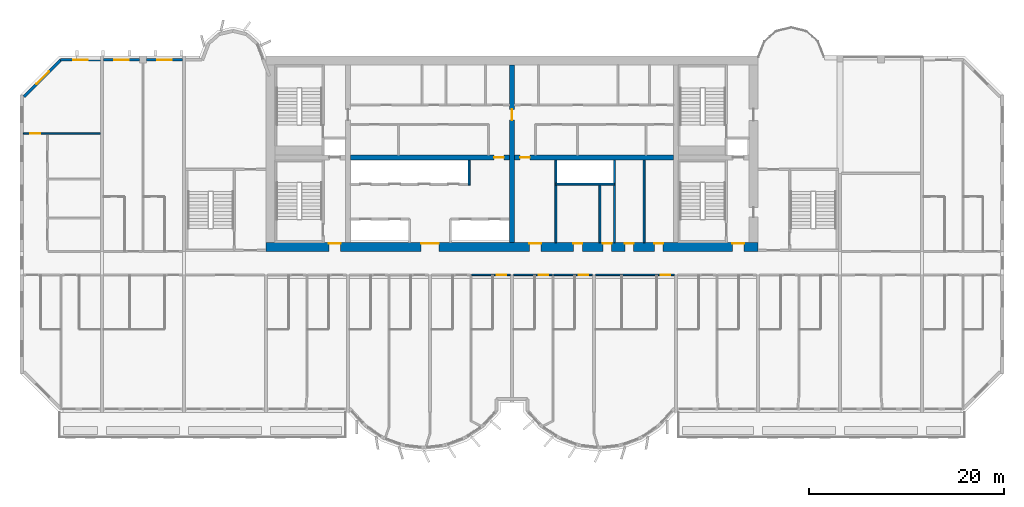
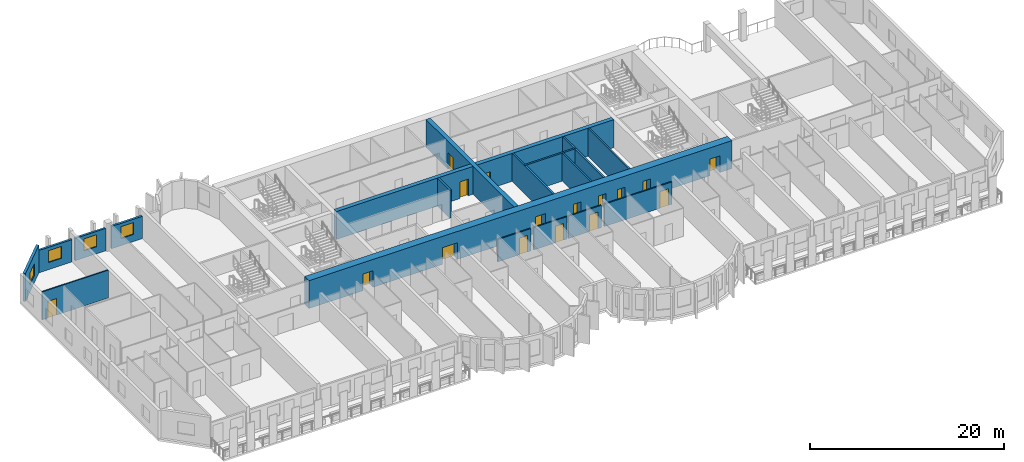
# One storey, part 7 of 15: 19 walls, 16 doors, 4 windows, 20 openings.
"""IFC4 building model written with IfcOpenShell, lengths in metres."""

import ifcopenshell
import ifcopenshell.guid

model = None  # the IFC model being written
_history = None  # IfcOwnerHistory: only IFC2X3 demands one
_inside = {}  # id of a spatial element -> (the spatial element, [elements in it])
_under = {}  # id of a project, library or spatial element -> (it, [spatial elements below it])
_declared = {}  # id of a project -> (the project, [libraries it declares])
_typed = {}  # id of a type object -> (the type object, [elements of that type])
_made_of = {}  # id of a material, layer set ... -> (it, [elements and type objects made of it])


def new_model(schema):
    """Start an empty IFC model of exactly this schema.

    Asked for "IFC4X3", IfcOpenShell would pick the latest addendum, in which some entities
    have other attributes; the version numbers below select the first issue.
    IFC2X3 requires an IfcOwnerHistory on every rooted entity: one is made here for all.
    """
    global model, _history
    if schema == "IFC4X3":
        model = ifcopenshell.file(schema_version=(4, 3, 0, 0))
    else:
        model = ifcopenshell.file(schema=schema)
    _inside.clear()
    _under.clear()
    _declared.clear()
    _typed.clear()
    _made_of.clear()
    _history = None
    if model.schema == "IFC2X3":
        org = make("IfcOrganization", Name="unknown")
        user = make(
            "IfcPersonAndOrganization",
            ThePerson=make("IfcPerson", FamilyName="unknown"),
            TheOrganization=org,
        )
        app = make(
            "IfcApplication",
            ApplicationDeveloper=org,
            Version="unknown",
            ApplicationFullName="unknown",
            ApplicationIdentifier="unknown",
        )
        _history = make(
            "IfcOwnerHistory",
            OwningUser=user,
            OwningApplication=app,
            ChangeAction="ADDED",
            CreationDate=0,
        )
    return model


def make(cls, **values):
    """One entity of the class cls with the attributes given. An attribute that is None is left unset."""
    return model.create_entity(
        cls, **{name: value for name, value in values.items() if value is not None}
    )


def rooted(cls, **values):
    """An entity with a GlobalId (a new one), such as an element, a storey or a relation."""
    return make(cls, GlobalId=ifcopenshell.guid.new(), OwnerHistory=_history, **values)


def si_unit(unit_type, name, prefix=None):
    """IfcSIUnit, for example si_unit("LENGTHUNIT", "METRE", prefix="MILLI")."""
    return make("IfcSIUnit", UnitType=unit_type, Prefix=prefix, Name=name)


def assignment(units):
    """IfcUnitAssignment: the units of a project."""
    return None if units is None else make("IfcUnitAssignment", Units=units)


def point(xyz):
    """IfcCartesianPoint."""
    return None if xyz is None else make("IfcCartesianPoint", Coordinates=xyz)


def direction(xyz):
    """IfcDirection."""
    return None if xyz is None else make("IfcDirection", DirectionRatios=xyz)


def frame(location, z_axis=None, x_axis=None):
    """IfcAxis2Placement3D, a coordinate frame: its origin and axes. An axis left out is left unset."""
    return make(
        "IfcAxis2Placement3D",
        Location=point(location),
        Axis=direction(z_axis),
        RefDirection=direction(x_axis),
    )


def frame_2d(location, x_axis=None):
    """IfcAxis2Placement2D, a coordinate frame in the plane: its origin and x axis."""
    return make(
        "IfcAxis2Placement2D", Location=point(location), RefDirection=direction(x_axis)
    )


def origin():
    """The frame at (0, 0, 0) with its axes left unset."""
    return frame((0.0, 0.0, 0.0))


def place(relative_to, where):
    """IfcLocalPlacement: puts the frame where relative to a parent placement (None: the world)."""
    return make(
        "IfcLocalPlacement", PlacementRelTo=relative_to, RelativePlacement=where
    )


def context(
    kind, dimensions, precision=None, world=None, true_north=None, identifier=None
):
    """IfcGeometricRepresentationContext, for example the 3D "Model" context."""
    return make(
        "IfcGeometricRepresentationContext",
        ContextIdentifier=identifier,
        ContextType=kind,
        CoordinateSpaceDimension=dimensions,
        Precision=precision,
        WorldCoordinateSystem=world,
        TrueNorth=true_north,
    )


def subcontext(parent, identifier, kind, view, scale=None):
    """IfcGeometricRepresentationSubContext, for example "Body" below "Model"."""
    return make(
        "IfcGeometricRepresentationSubContext",
        ContextIdentifier=identifier,
        ContextType=kind,
        ParentContext=parent,
        TargetScale=scale,
        TargetView=view,
    )


def project(units=None, contexts=None):
    """IfcProject with its units and contexts."""
    return rooted(
        "IfcProject",
        Name="project",
        RepresentationContexts=contexts,
        UnitsInContext=assignment(units),
    )


def spatial(cls, under=None, at=None, **own):
    """A site, building, storey or space (cls), placed at a placement, below another one or the project."""
    s = rooted(cls, ObjectPlacement=at, **own)
    if under is not None:
        _under.setdefault(under.id(), (under, []))[1].append(s)
    return s


def profile(cls, at=None, kind="AREA", **sizes):
    """A parametric profile (cls). Its sizes go by their IFC names, for example OverallWidth=200.0."""
    return make(cls, ProfileType=kind, Position=at, **sizes)


def rectangle(**sizes):
    """IfcRectangleProfileDef."""
    return profile("IfcRectangleProfileDef", **sizes)


def extrude(swept, where, along, depth):
    """IfcExtrudedAreaSolid: the profile swept, set in the frame where, extruded along a direction by depth."""
    return make(
        "IfcExtrudedAreaSolid",
        SweptArea=swept,
        Position=where,
        ExtrudedDirection=direction(along),
        Depth=depth,
    )


def shape(context_of_items, identifier, shape_type, items):
    """IfcShapeRepresentation: the items that make up one representation, for example the "Body"."""
    return make(
        "IfcShapeRepresentation",
        ContextOfItems=context_of_items,
        RepresentationIdentifier=identifier,
        RepresentationType=shape_type,
        Items=items,
    )


def source(mapping_origin, context_of_items, identifier, shape_type, items):
    """IfcRepresentationMap: a shape defined once, which mapped items show again and again."""
    return make(
        "IfcRepresentationMap",
        MappingOrigin=mapping_origin,
        MappedRepresentation=shape(context_of_items, identifier, shape_type, items),
    )


def transform(
    local_origin,
    x_axis=None,
    y_axis=None,
    z_axis=None,
    scale=None,
    scale2=None,
    scale3=None,
    uniform=True,
):
    """IfcCartesianTransformationOperator3D, or its non-uniform kind. x_axis, y_axis, z_axis: its Axis1, 2, 3."""
    if uniform:
        return make(
            "IfcCartesianTransformationOperator3D",
            Axis1=direction(x_axis),
            Axis2=direction(y_axis),
            LocalOrigin=point(local_origin),
            Scale=scale,
            Axis3=direction(z_axis),
        )
    return make(
        "IfcCartesianTransformationOperator3DnonUniform",
        Axis1=direction(x_axis),
        Axis2=direction(y_axis),
        LocalOrigin=point(local_origin),
        Scale=scale,
        Axis3=direction(z_axis),
        Scale2=scale2,
        Scale3=scale3,
    )


def mapped(mapping_source, mapping_target):
    """IfcMappedItem: shows the shape of a source again, moved by a transform."""
    return make(
        "IfcMappedItem", MappingSource=mapping_source, MappingTarget=mapping_target
    )


def material(Name=None, Category=None):
    """IfcMaterial."""
    return make("IfcMaterial", Name=Name, Category=Category)


def layer(
    of_material, thickness, ventilated=None, Name=None, Category=None, Priority=None
):
    """IfcMaterialLayer: one layer of a wall or slab, of a material (None: an air gap)."""
    return make(
        "IfcMaterialLayer",
        Material=of_material,
        LayerThickness=thickness,
        IsVentilated=ventilated,
        Name=Name,
        Category=Category,
        Priority=Priority,
    )


def layer_set(layers, Name=None):
    """IfcMaterialLayerSet."""
    return make("IfcMaterialLayerSet", MaterialLayers=layers, LayerSetName=Name)


def made_of(thing, what):
    """Note that an element or type object is made of a material, layer set ...; save() writes the relation."""
    if what is not None:
        _made_of.setdefault(what.id(), (what, []))[1].append(thing)
    return thing


def type_object(cls, material=None, **own):
    """A type object (cls), such as IfcWallType, which elements share."""
    return made_of(rooted(cls, **own), material)


def element(
    cls,
    number,
    at=None,
    inside=None,
    cuts=None,
    type_object=None,
    material=None,
    context=None,
    identifier="Body",
    shape_type=None,
    held_by="IfcProductDefinitionShape",
    body=None,
    shapes=None,
    **own,
):
    """One element of the class cls, such as IfcWall. Its Tag is "e" and its number.

    at: its placement. inside: the storey or other place that contains it. cuts: it is an
    opening in that element (IfcRelVoidsElement). A single representation is given by context,
    identifier, shape_type and body (its items); several are given by shapes. held_by: the class
    of the entity that holds the representations. save() writes the other relations.
    """
    e = rooted(cls, Tag="e%d" % number, ObjectPlacement=at, **own)
    if body is not None:
        shapes = [shape(context, identifier, shape_type, body)]
    if shapes is not None:
        e.Representation = make(held_by, Representations=shapes)
    if inside is not None:
        _inside.setdefault(inside.id(), (inside, []))[1].append(e)
    if cuts is not None:
        rooted(
            "IfcRelVoidsElement", RelatingBuildingElement=cuts, RelatedOpeningElement=e
        )
    if type_object is not None:
        _typed.setdefault(type_object.id(), (type_object, []))[1].append(e)
    return made_of(e, material)


def fill(opening, filler):
    """IfcRelFillsElement: the door or window that sits in an opening."""
    return rooted(
        "IfcRelFillsElement",
        RelatingOpeningElement=opening,
        RelatedBuildingElement=filler,
    )


def aggregate(whole, parts):
    """IfcRelAggregates: a whole, such as a stair, and the parts it consists of."""
    return rooted("IfcRelAggregates", RelatingObject=whole, RelatedObjects=parts)


def save(model, path):
    """Write the relations noted so far, then the file.

    IfcRelAggregates (storeys below a building ...), IfcRelContainedInSpatialStructure (elements
    in a storey), IfcRelDefinesByType, IfcRelAssociatesMaterial and IfcRelDeclares: one each for
    every whole, place, type object, material and project.
    """
    for whole, parts in _under.values():
        aggregate(whole, parts)
    for where, things in _inside.values():
        rooted(
            "IfcRelContainedInSpatialStructure",
            RelatedElements=things,
            RelatingStructure=where,
        )
    for kind, things in _typed.values():
        rooted("IfcRelDefinesByType", RelatedObjects=things, RelatingType=kind)
    for what, things in _made_of.values():
        rooted("IfcRelAssociatesMaterial", RelatedObjects=things, RelatingMaterial=what)
    for by, libraries in _declared.values():
        rooted("IfcRelDeclares", RelatingContext=by, RelatedDefinitions=libraries)
    model.write(path)


model = new_model("IFC4")

# Units and contexts
model_context = context("Model", 3, precision=1e-05, world=origin(), true_north=direction((0.0, 1.0)))
body_context = subcontext(model_context, "Body", "Model", "MODEL_VIEW")
ifc_project = project(units=[si_unit("LENGTHUNIT", "METRE"), si_unit("AREAUNIT", "SQUARE_METRE"), si_unit("VOLUMEUNIT", "CUBIC_METRE"), si_unit("PLANEANGLEUNIT", "RADIAN"), si_unit("MASSUNIT", "GRAM", prefix="KILO")], contexts=[model_context])

# Site, building, storey
site_placement = place(None, origin())
site = spatial("IfcSite", under=ifc_project, at=site_placement, CompositionType="ELEMENT")
building_placement = place(site_placement, origin())
building = spatial("IfcBuilding", under=site, at=building_placement, Name="Vanashikhar Sky Hotel", CompositionType="ELEMENT")
storey_placement = place(building_placement, frame((0.0, 0.0, 91.39990234375)))
storey = spatial("IfcBuildingStorey", under=building, at=storey_placement, Name="L21", CompositionType="ELEMENT", Elevation=91.39990234375)

# Wall, openings, doors
ifc_material_1 = material(Name="Concrete M70", Category="concrete")
ifc_layer_1 = layer(ifc_material_1, 0.89990234375)
ifc_layer_set_1 = layer_set([ifc_layer_1], Name="RC core shell wall 900 Concrete M70")
wall_type_1 = type_object("IfcWallType", Name="RC core shell wall 900 Concrete M70", PredefinedType="SHEAR", material=ifc_layer_set_1)
shared_shape_1 = source(origin(), body_context, "Body", "SweptSolid", [
    extrude(rectangle(XDim=50.400146484375, YDim=0.89990234375, at=frame_2d((25.2001953125, 0.0))), origin(), (0.0, 0.0, 1.0), 3.52001953125),
])
wall_1_placement = place(storey_placement, frame((25.199951171875, 22.449951171875, 0.0), z_axis=(0.0, 0.0, 1.0), x_axis=(1.0, 0.0, 0.0)))
wall_1 = element("IfcWall", 1, at=wall_1_placement, inside=storey, type_object=wall_type_1, Name="KW-L21-KS", PredefinedType="SHEAR", context=body_context, shape_type="MappedRepresentation", body=[
    mapped(shared_shape_1, transform((0.0, 0.0, 0.0), scale=1.0)),
])
shared_shape_2 = source(origin(), body_context, "Body", "SweptSolid", [
    extrude(rectangle(XDim=1.800048828125, YDim=2.10009765625, at=frame_2d((0.89990234375, 1.050048828125))), frame((0.0, 0.4599609375, 0.0), z_axis=(0.0, -1.0, 0.0), x_axis=(1.0, 0.0, 0.0)), (0.0, 0.0, 1.0), 0.919921875),
])
opening_1_placement = place(wall_1_placement, frame((15.89990234375, 0.0, 0.0)))
opening_1 = element("IfcOpeningElement", 2, at=opening_1_placement, cuts=wall_1, Name="Opening DC-3-A", PredefinedType="OPENING", context=body_context, shape_type="MappedRepresentation", body=[
    mapped(shared_shape_2, transform((0.0, 0.0, 0.0), scale=1.0)),
])
shared_shape_3 = source(origin(), body_context, "Body", "SweptSolid", [
    extrude(rectangle(XDim=1.199951171875, YDim=2.10009765625, at=frame_2d((0.60009765625, 1.050048828125))), frame((0.0, 0.4599609375, 0.0), z_axis=(0.0, -1.0, 0.0), x_axis=(1.0, 0.0, 0.0)), (0.0, 0.0, 1.0), 0.919921875),
])
opening_2_placement = place(wall_1_placement, frame((26.97509765625, 0.0, 0.0)))
opening_2 = element("IfcOpeningElement", 3, at=opening_2_placement, cuts=wall_1, Name="Opening DC-4-B", PredefinedType="OPENING", context=body_context, shape_type="MappedRepresentation", body=[
    mapped(shared_shape_3, transform((0.0, 0.0, 0.0), scale=1.0)),
])
shared_shape_4 = source(origin(), body_context, "Body", "SweptSolid", [
    extrude(rectangle(XDim=0.89990234375, YDim=2.10009765625, at=frame_2d((0.449951171875, 1.050048828125))), frame((0.0, 0.4599609375, 0.0), z_axis=(0.0, -1.0, 0.0), x_axis=(1.0, 0.0, 0.0)), (0.0, 0.0, 1.0), 0.919921875),
])
opening_3_placement = place(wall_1_placement, frame((34.5, 0.0, 0.0)))
opening_3 = element("IfcOpeningElement", 4, at=opening_3_placement, cuts=wall_1, Name="Opening DC-4-A", PredefinedType="OPENING", context=body_context, shape_type="MappedRepresentation", body=[
    mapped(shared_shape_4, transform((0.0, 0.0, 0.0), scale=1.0)),
])
opening_4_placement = place(wall_1_placement, frame((31.5, 0.0, 0.0)))
opening_4 = element("IfcOpeningElement", 5, at=opening_4_placement, cuts=wall_1, Name="Opening DC-4-A", PredefinedType="OPENING", context=body_context, shape_type="MappedRepresentation", body=[
    mapped(shared_shape_4, transform((0.0, 0.0, 0.0), scale=1.0)),
])
opening_5_placement = place(wall_1_placement, frame((39.7880859375, 0.0, 0.0)))
opening_5 = element("IfcOpeningElement", 6, at=opening_5_placement, cuts=wall_1, Name="Opening DC-4-A", PredefinedType="OPENING", context=body_context, shape_type="MappedRepresentation", body=[
    mapped(shared_shape_4, transform((0.0, 0.0, 0.0), scale=1.0)),
])
opening_6_placement = place(wall_1_placement, frame((36.761962890625, 0.0, 0.0)))
opening_6 = element("IfcOpeningElement", 7, at=opening_6_placement, cuts=wall_1, Name="Opening DC-4-A", PredefinedType="OPENING", context=body_context, shape_type="MappedRepresentation", body=[
    mapped(shared_shape_4, transform((0.0, 0.0, 0.0), scale=1.0)),
])
opening_7_placement = place(wall_1_placement, frame((6.449951171875, 0.0, 0.0)))
opening_7 = element("IfcOpeningElement", 8, at=opening_7_placement, cuts=wall_1, Name="Opening DC-2", PredefinedType="OPENING", context=body_context, shape_type="MappedRepresentation", body=[
    mapped(shared_shape_3, transform((0.0, 0.0, 0.0), scale=1.0)),
])
opening_8_placement = place(wall_1_placement, frame((47.77490234375, 0.0, 0.0)))
opening_8 = element("IfcOpeningElement", 9, at=opening_8_placement, cuts=wall_1, Name="Opening DC-2", PredefinedType="OPENING", context=body_context, shape_type="MappedRepresentation", body=[
    mapped(shared_shape_3, transform((0.0, 0.0, 0.0), scale=1.0)),
])
ifc_material_2 = material(Name="Glass", Category="glass")
door_type_1 = type_object("IfcDoorType", Name="Lift lobby entrance door 1800 FD30S", OperationType="NOTDEFINED", PredefinedType="DOOR", material=ifc_material_2)
shared_shape_5 = source(origin(), body_context, "Body", "SweptSolid", [
    extrude(rectangle(XDim=1.800048828125, YDim=2.10009765625, at=frame_2d((0.89990234375, 1.050048828125))), frame((0.0, 0.375, 0.0), z_axis=(0.0, -1.0, 0.0), x_axis=(1.0, 0.0, 0.0)), (0.0, 0.0, 1.0), 0.050048828125),
])
door_1_placement = place(opening_1_placement, origin())
door_1 = element("IfcDoor", 10, at=door_1_placement, inside=storey, type_object=door_type_1, Name="Lift lobby entrance door 1800 FD30S", OperationType="DOUBLE_DOOR_SINGLE_SWING", OverallHeight=2.10009765625, OverallWidth=1.800048828125, PredefinedType="DOOR", context=body_context, shape_type="MappedRepresentation", body=[
    mapped(shared_shape_5, transform((0.0, 0.0, 0.0), scale=1.0)),
])
fill(opening_1, door_1)
ifc_material_3 = material(Name="Steel", Category="steel")
door_type_2 = type_object("IfcDoorType", Name="Service door 1200 FD60", OperationType="NOTDEFINED", PredefinedType="DOOR", material=ifc_material_3)
shared_shape_6 = source(origin(), body_context, "Body", "SweptSolid", [
    extrude(rectangle(XDim=1.199951171875, YDim=2.10009765625, at=frame_2d((0.60009765625, 1.050048828125))), frame((0.0, 0.375, 0.0), z_axis=(0.0, -1.0, 0.0), x_axis=(1.0, 0.0, 0.0)), (0.0, 0.0, 1.0), 0.050048828125),
])
door_2_placement = place(opening_2_placement, origin())
door_2 = element("IfcDoor", 11, at=door_2_placement, inside=storey, type_object=door_type_2, Name="Service door 1200 FD60", OperationType="SINGLE_SWING_LEFT", OverallHeight=2.10009765625, OverallWidth=1.199951171875, PredefinedType="DOOR", context=body_context, shape_type="MappedRepresentation", body=[
    mapped(shared_shape_6, transform((0.0, 0.0, 0.0), scale=1.0)),
])
fill(opening_2, door_2)
door_type_3 = type_object("IfcDoorType", Name="Firefighting lobby door 1200 FD120", OperationType="NOTDEFINED", PredefinedType="DOOR", material=ifc_material_3)
door_3_placement = place(opening_7_placement, origin())
door_3 = element("IfcDoor", 12, at=door_3_placement, inside=storey, type_object=door_type_3, Name="Firefighting lobby door 1200 FD120", OperationType="SINGLE_SWING_LEFT", OverallHeight=2.10009765625, OverallWidth=1.199951171875, PredefinedType="DOOR", context=body_context, shape_type="MappedRepresentation", body=[
    mapped(shared_shape_6, transform((0.0, 0.0, 0.0), scale=1.0)),
])
fill(opening_7, door_3)
door_4_placement = place(opening_8_placement, origin())
door_4 = element("IfcDoor", 13, at=door_4_placement, inside=storey, type_object=door_type_3, Name="Firefighting lobby door 1200 FD120", OperationType="SINGLE_SWING_LEFT", OverallHeight=2.10009765625, OverallWidth=1.199951171875, PredefinedType="DOOR", context=body_context, shape_type="MappedRepresentation", body=[
    mapped(shared_shape_6, transform((0.0, 0.0, 0.0), scale=1.0)),
])
fill(opening_8, door_4)
door_type_4 = type_object("IfcDoorType", Name="Service door 900 FD60", OperationType="NOTDEFINED", PredefinedType="DOOR", material=ifc_material_3)
shared_shape_7 = source(origin(), body_context, "Body", "SweptSolid", [
    extrude(rectangle(XDim=0.89990234375, YDim=2.10009765625, at=frame_2d((0.449951171875, 1.050048828125))), frame((0.0, 0.375, 0.0), z_axis=(0.0, -1.0, 0.0), x_axis=(1.0, 0.0, 0.0)), (0.0, 0.0, 1.0), 0.050048828125),
])
door_5_placement = place(opening_3_placement, origin())
door_5 = element("IfcDoor", 14, at=door_5_placement, inside=storey, type_object=door_type_4, Name="Service door 900 FD60", OperationType="SINGLE_SWING_LEFT", OverallHeight=2.10009765625, OverallWidth=0.89990234375, PredefinedType="DOOR", context=body_context, shape_type="MappedRepresentation", body=[
    mapped(shared_shape_7, transform((0.0, 0.0, 0.0), scale=1.0)),
])
fill(opening_3, door_5)
door_6_placement = place(opening_4_placement, origin())
door_6 = element("IfcDoor", 15, at=door_6_placement, inside=storey, type_object=door_type_4, Name="Service door 900 FD60", OperationType="SINGLE_SWING_RIGHT", OverallHeight=2.10009765625, OverallWidth=0.89990234375, PredefinedType="DOOR", context=body_context, shape_type="MappedRepresentation", body=[
    mapped(shared_shape_7, transform((0.0, 0.0, 0.0), scale=1.0)),
])
fill(opening_4, door_6)
door_7_placement = place(opening_5_placement, origin())
door_7 = element("IfcDoor", 16, at=door_7_placement, inside=storey, type_object=door_type_4, Name="Service door 900 FD60", OperationType="SINGLE_SWING_LEFT", OverallHeight=2.10009765625, OverallWidth=0.89990234375, PredefinedType="DOOR", context=body_context, shape_type="MappedRepresentation", body=[
    mapped(shared_shape_7, transform((0.0, 0.0, 0.0), scale=1.0)),
])
fill(opening_5, door_7)
door_8_placement = place(opening_6_placement, origin())
door_8 = element("IfcDoor", 17, at=door_8_placement, inside=storey, type_object=door_type_4, Name="Service door 900 FD60", OperationType="SINGLE_SWING_RIGHT", OverallHeight=2.10009765625, OverallWidth=0.89990234375, PredefinedType="DOOR", context=body_context, shape_type="MappedRepresentation", body=[
    mapped(shared_shape_7, transform((0.0, 0.0, 0.0), scale=1.0)),
])
fill(opening_6, door_8)

# Wall, opening, door
ifc_layer_2 = layer(ifc_material_1, 0.5)
ifc_layer_set_2 = layer_set([ifc_layer_2], Name="RC core inner wall 500 Concrete M70")
wall_type_2 = type_object("IfcWallType", Name="RC core inner wall 500 Concrete M70", PredefinedType="SHEAR", material=ifc_layer_set_2)
shared_shape_8 = source(origin(), body_context, "Body", "SweptSolid", [
    extrude(rectangle(XDim=18.2001953125, YDim=0.5, at=frame_2d((9.10009765625, 0.0))), origin(), (0.0, 0.0, 1.0), 3.52001953125),
])
wall_2_placement = place(storey_placement, frame((50.39990234375, 22.89990234375, 0.0), z_axis=(0.0, 0.0, 1.0), x_axis=(0.0, 1.0, 0.0)))
wall_2 = element("IfcWall", 18, at=wall_2_placement, inside=storey, type_object=wall_type_2, Name="KW-L21-KX2", PredefinedType="SHEAR", context=body_context, shape_type="MappedRepresentation", body=[
    mapped(shared_shape_8, transform((0.0, 0.0, 0.0), scale=1.0)),
])
shared_shape_9 = source(origin(), body_context, "Body", "SweptSolid", [
    extrude(rectangle(XDim=1.10009765625, YDim=2.10009765625, at=frame_2d((0.550048828125, 1.050048828125))), frame((0.0, 0.260009765625, 0.0), z_axis=(0.0, -1.0, 0.0), x_axis=(1.0, 0.0, 0.0)), (0.0, 0.0, 1.0), 0.52001953125),
])
opening_9_placement = place(wall_2_placement, frame((12.550048828125, 0.0, 0.0)))
opening_9 = element("IfcOpeningElement", 19, at=opening_9_placement, cuts=wall_2, Name="Opening DC-4-C", PredefinedType="OPENING", context=body_context, shape_type="MappedRepresentation", body=[
    mapped(shared_shape_9, transform((0.0, 0.0, 0.0), scale=1.0)),
])
door_type_5 = type_object("IfcDoorType", Name="Service door 1100 FD60", OperationType="NOTDEFINED", PredefinedType="DOOR", material=ifc_material_3)
shared_shape_10 = source(origin(), body_context, "Body", "SweptSolid", [
    extrude(rectangle(XDim=1.10009765625, YDim=2.10009765625, at=frame_2d((0.550048828125, 1.050048828125))), frame((0.0, 0.02490234375, 0.0), z_axis=(0.0, -1.0, 0.0), x_axis=(1.0, 0.0, 0.0)), (0.0, 0.0, 1.0), 0.050048828125),
])
door_9_placement = place(opening_9_placement, origin())
door_9 = element("IfcDoor", 20, at=door_9_placement, inside=storey, type_object=door_type_5, Name="Service door 1100 FD60", OperationType="SINGLE_SWING_LEFT", OverallHeight=2.10009765625, OverallWidth=1.10009765625, PredefinedType="DOOR", context=body_context, shape_type="MappedRepresentation", body=[
    mapped(shared_shape_10, transform((0.0, 0.0, 0.0), scale=1.0)),
])
fill(opening_9, door_9)

shared_shape_11 = source(origin(), body_context, "Body", "SweptSolid", [
    extrude(rectangle(XDim=16.2998046875, YDim=0.5, at=frame_2d((8.14990234375, 0.0))), origin(), (0.0, 0.0, 1.0), 3.52001953125),
])
wall_3_placement = place(storey_placement, frame((33.85009765625, 31.60009765625, 0.0), z_axis=(0.0, 0.0, 1.0), x_axis=(1.0, 0.0, 0.0)))
wall_3 = element("IfcWall", 21, at=wall_3_placement, inside=storey, type_object=wall_type_2, Name="KW-L21-KY2", PredefinedType="SHEAR", context=body_context, shape_type="MappedRepresentation", body=[
    mapped(shared_shape_11, transform((0.0, 0.0, 0.0), scale=1.0)),
])
shared_shape_12 = source(origin(), body_context, "Body", "SweptSolid", [
    extrude(rectangle(XDim=1.0, YDim=2.10009765625, at=frame_2d((0.5, 1.050048828125))), frame((0.0, 0.260009765625, 0.0), z_axis=(0.0, -1.0, 0.0), x_axis=(1.0, 0.0, 0.0)), (0.0, 0.0, 1.0), 0.52001953125),
])
opening_10_placement = place(wall_3_placement, frame((14.72509765625, 0.0, 0.0)))
opening_10 = element("IfcOpeningElement", 22, at=opening_10_placement, cuts=wall_3, Name="Opening DC-4", PredefinedType="OPENING", context=body_context, shape_type="MappedRepresentation", body=[
    mapped(shared_shape_12, transform((0.0, 0.0, 0.0), scale=1.0)),
])
door_type_6 = type_object("IfcDoorType", Name="Service door 1000 FD60", OperationType="NOTDEFINED", PredefinedType="DOOR", material=ifc_material_3)
shared_shape_13 = source(origin(), body_context, "Body", "SweptSolid", [
    extrude(rectangle(XDim=1.0, YDim=2.10009765625, at=frame_2d((0.5, 1.050048828125))), frame((0.0, 0.02490234375, 0.0), z_axis=(0.0, -1.0, 0.0), x_axis=(1.0, 0.0, 0.0)), (0.0, 0.0, 1.0), 0.050048828125),
])
door_10_placement = place(opening_10_placement, origin())
door_10 = element("IfcDoor", 23, at=door_10_placement, inside=storey, type_object=door_type_6, Name="Service door 1000 FD60", OperationType="SINGLE_SWING_LEFT", OverallHeight=2.10009765625, OverallWidth=1.0, PredefinedType="DOOR", context=body_context, shape_type="MappedRepresentation", body=[
    mapped(shared_shape_13, transform((0.0, 0.0, 0.0), scale=1.0)),
])
fill(opening_10, door_10)

shared_shape_14 = source(origin(), body_context, "Body", "SweptSolid", [
    extrude(rectangle(XDim=16.300048828125, YDim=0.5, at=frame_2d((8.14990234375, 0.0))), origin(), (0.0, 0.0, 1.0), 3.52001953125),
])
wall_4_placement = place(storey_placement, frame((50.64990234375, 31.60009765625, 0.0), z_axis=(0.0, 0.0, 1.0), x_axis=(1.0, 0.0, 0.0)))
wall_4 = element("IfcWall", 24, at=wall_4_placement, inside=storey, type_object=wall_type_2, Name="KW-L21-KY3", PredefinedType="SHEAR", context=body_context, shape_type="MappedRepresentation", body=[
    mapped(shared_shape_14, transform((0.0, 0.0, 0.0), scale=1.0)),
])
opening_11_placement = place(wall_4_placement, frame((0.574951171875, 0.0, 0.0)))
opening_11 = element("IfcOpeningElement", 25, at=opening_11_placement, cuts=wall_4, Name="Opening DC-4", PredefinedType="OPENING", context=body_context, shape_type="MappedRepresentation", body=[
    mapped(shared_shape_12, transform((0.0, 0.0, 0.0), scale=1.0)),
])
door_11_placement = place(opening_11_placement, origin())
door_11 = element("IfcDoor", 26, at=door_11_placement, inside=storey, type_object=door_type_6, Name="Service door 1000 FD60", OperationType="SINGLE_SWING_LEFT", OverallHeight=2.10009765625, OverallWidth=1.0, PredefinedType="DOOR", context=body_context, shape_type="MappedRepresentation", body=[
    mapped(shared_shape_13, transform((0.0, 0.0, 0.0), scale=1.0)),
])
fill(opening_11, door_11)

# Wall, opening, window
ifc_material_4 = material(Name="Concrete M50", Category="concrete")
ifc_layer_3 = layer(ifc_material_4, 0.300048828125)
ifc_layer_set_3 = layer_set([ifc_layer_3], Name="Lobe wall 300")
wall_type_3 = type_object("IfcWallType", Name="Lobe wall 300", PredefinedType="SOLIDWALL", material=ifc_layer_set_3)
shared_shape_15 = source(origin(), body_context, "Body", "SweptSolid", [
    extrude(rectangle(XDim=5.32568359375, YDim=0.300048828125, at=frame_2d((2.662841796875, 0.0))), origin(), (0.0, 0.0, 1.0), 3.52001953125),
])
wall_5_placement = place(storey_placement, frame((4.165771484375, 41.60009765625, 0.0), z_axis=(0.0, 0.0, 1.0), x_axis=(-0.707106781187, -0.707106781187, 0.0)))
wall_5 = element("IfcWall", 27, at=wall_5_placement, inside=storey, type_object=wall_type_3, Name="Corner wall", PredefinedType="SOLIDWALL", context=body_context, shape_type="MappedRepresentation", body=[
    mapped(shared_shape_15, transform((0.0, 0.0, 0.0), scale=1.0)),
])
shared_shape_16 = source(origin(), body_context, "Body", "SweptSolid", [
    extrude(rectangle(XDim=1.800048828125, YDim=1.5, at=frame_2d((0.89990234375, 0.75))), frame((0.0, 0.16015625, 0.0), z_axis=(0.0, -1.0, 0.0), x_axis=(1.0, 0.0, 0.0)), (0.0, 0.0, 1.0), 0.320068359375),
])
opening_12_placement = place(wall_5_placement, frame((1.671875, 0.0, 0.89990234375)))
opening_12 = element("IfcOpeningElement", 28, at=opening_12_placement, cuts=wall_5, Name="Opening WN-4", PredefinedType="OPENING", context=body_context, shape_type="MappedRepresentation", body=[
    mapped(shared_shape_16, transform((0.0, 0.0, 0.0), scale=1.0)),
])
window_type_1 = type_object("IfcWindowType", Name="Corner window 1800 x 1500", PartitioningType="SINGLE_PANEL", PredefinedType="WINDOW", material=ifc_material_2)
shared_shape_17 = source(origin(), body_context, "Body", "SweptSolid", [
    extrude(rectangle(XDim=1.800048828125, YDim=1.5, at=frame_2d((0.89990234375, 0.75))), frame((0.0, 0.030029296875, 0.0), z_axis=(0.0, -1.0, 0.0), x_axis=(1.0, 0.0, 0.0)), (0.0, 0.0, 1.0), 0.06005859375),
])
window_1_placement = place(opening_12_placement, origin())
window_1 = element("IfcWindow", 29, at=window_1_placement, inside=storey, type_object=window_type_1, Name="Window WN-4", OverallHeight=1.5, OverallWidth=1.800048828125, PartitioningType="SINGLE_PANEL", PredefinedType="WINDOW", context=body_context, shape_type="MappedRepresentation", body=[
    mapped(shared_shape_17, transform((0.0, 0.0, 0.0), scale=1.0)),
])
fill(opening_12, window_1)

ifc_layer_4 = layer(ifc_material_4, 0.25)
ifc_layer_set_4 = layer_set([ifc_layer_4], Name="Rear and end board-marked wall 250")
wall_type_4 = type_object("IfcWallType", Name="Rear and end board-marked wall 250", PredefinedType="SOLIDWALL", material=ifc_layer_set_4)
shared_shape_18 = source(origin(), body_context, "Body", "SweptSolid", [
    extrude(rectangle(XDim=4.06982421875, YDim=0.25, at=frame_2d((2.034912109375, 0.0))), origin(), (0.0, 0.0, 1.0), 2.820068359375),
])
wall_6_placement = place(storey_placement, frame((8.22509765625, 41.625, 0.0), z_axis=(0.0, 0.0, 1.0), x_axis=(-1.0, 0.0, 0.0)))
wall_6 = element("IfcWall", 30, at=wall_6_placement, inside=storey, type_object=wall_type_4, Name="Rear board-marked wall", PredefinedType="SOLIDWALL", context=body_context, shape_type="MappedRepresentation", body=[
    mapped(shared_shape_18, transform((0.0, 0.0, 0.0), scale=1.0)),
])
shared_shape_19 = source(origin(), body_context, "Body", "SweptSolid", [
    extrude(rectangle(XDim=1.5, YDim=1.5, at=frame_2d((0.75, 0.75))), frame((0.0, 0.135009765625, 0.0), z_axis=(0.0, -1.0, 0.0), x_axis=(1.0, 0.0, 0.0)), (0.0, 0.0, 1.0), 0.27001953125),
])
opening_13_placement = place(wall_6_placement, frame((1.284912109375, 0.0, 0.89990234375)))
opening_13 = element("IfcOpeningElement", 31, at=opening_13_placement, cuts=wall_6, Name="Opening WN-1", PredefinedType="OPENING", context=body_context, shape_type="MappedRepresentation", body=[
    mapped(shared_shape_19, transform((0.0, 0.0, 0.0), scale=1.0)),
])
window_type_2 = type_object("IfcWindowType", Name="Window 1500 x 1500", PartitioningType="SINGLE_PANEL", PredefinedType="WINDOW", material=ifc_material_2)
shared_shape_20 = source(origin(), body_context, "Body", "SweptSolid", [
    extrude(rectangle(XDim=1.5, YDim=1.5, at=frame_2d((0.75, 0.75))), frame((0.0, 0.030029296875, 0.0), z_axis=(0.0, -1.0, 0.0), x_axis=(1.0, 0.0, 0.0)), (0.0, 0.0, 1.0), 0.06005859375),
])
window_2_placement = place(opening_13_placement, origin())
window_2 = element("IfcWindow", 32, at=window_2_placement, inside=storey, type_object=window_type_2, Name="Window WN-1", OverallHeight=1.5, OverallWidth=1.5, PartitioningType="SINGLE_PANEL", PredefinedType="WINDOW", context=body_context, shape_type="MappedRepresentation", body=[
    mapped(shared_shape_20, transform((0.0, 0.0, 0.0), scale=1.0)),
])
fill(opening_13, window_2)

shared_shape_21 = source(origin(), body_context, "Body", "SweptSolid", [
    extrude(rectangle(XDim=3.675048828125, YDim=0.25, at=frame_2d((1.83740234375, 0.0))), origin(), (0.0, 0.0, 1.0), 2.820068359375),
])
wall_7_placement = place(storey_placement, frame((12.25, 41.625, 0.0), z_axis=(0.0, 0.0, 1.0), x_axis=(-1.0, 0.0, 0.0)))
wall_7 = element("IfcWall", 33, at=wall_7_placement, inside=storey, type_object=wall_type_4, Name="Rear board-marked wall", PredefinedType="SOLIDWALL", context=body_context, shape_type="MappedRepresentation", body=[
    mapped(shared_shape_21, transform((0.0, 0.0, 0.0), scale=1.0)),
])
opening_14_placement = place(wall_7_placement, frame((1.08740234375, 0.0, 0.89990234375)))
opening_14 = element("IfcOpeningElement", 34, at=opening_14_placement, cuts=wall_7, Name="Opening WN-1", PredefinedType="OPENING", context=body_context, shape_type="MappedRepresentation", body=[
    mapped(shared_shape_19, transform((0.0, 0.0, 0.0), scale=1.0)),
])
window_3_placement = place(opening_14_placement, origin())
window_3 = element("IfcWindow", 35, at=window_3_placement, inside=storey, type_object=window_type_2, Name="Window WN-1", OverallHeight=1.5, OverallWidth=1.5, PartitioningType="SINGLE_PANEL", PredefinedType="WINDOW", context=body_context, shape_type="MappedRepresentation", body=[
    mapped(shared_shape_20, transform((0.0, 0.0, 0.0), scale=1.0)),
])
fill(opening_14, window_3)

wall_8_placement = place(storey_placement, frame((16.625, 41.625, 0.0), z_axis=(0.0, 0.0, 1.0), x_axis=(-1.0, 0.0, 0.0)))
wall_8 = element("IfcWall", 36, at=wall_8_placement, inside=storey, type_object=wall_type_4, Name="Rear board-marked wall", PredefinedType="SOLIDWALL", context=body_context, shape_type="MappedRepresentation", body=[
    mapped(shared_shape_21, transform((0.0, 0.0, 0.0), scale=1.0)),
])
opening_15_placement = place(wall_8_placement, frame((1.08740234375, 0.0, 0.89990234375)))
opening_15 = element("IfcOpeningElement", 37, at=opening_15_placement, cuts=wall_8, Name="Opening WN-1", PredefinedType="OPENING", context=body_context, shape_type="MappedRepresentation", body=[
    mapped(shared_shape_19, transform((0.0, 0.0, 0.0), scale=1.0)),
])
window_4_placement = place(opening_15_placement, origin())
window_4 = element("IfcWindow", 38, at=window_4_placement, inside=storey, type_object=window_type_2, Name="Window WN-1", OverallHeight=1.5, OverallWidth=1.5, PartitioningType="SINGLE_PANEL", PredefinedType="WINDOW", context=body_context, shape_type="MappedRepresentation", body=[
    mapped(shared_shape_20, transform((0.0, 0.0, 0.0), scale=1.0)),
])
fill(opening_15, window_4)

# Walls
ifc_material_5 = material(Name="Concrete M40", Category="concrete")
ifc_layer_5 = layer(ifc_material_5, 0.199951171875)
ifc_layer_set_5 = layer_set([ifc_layer_5], Name="Shaft wall 200")
wall_type_5 = type_object("IfcWallType", Name="Shaft wall 200", PredefinedType="SOLIDWALL", material=ifc_layer_set_5)
shared_shape_22 = source(origin(), body_context, "Body", "SweptSolid", [
    extrude(rectangle(XDim=6.0, YDim=0.199951171875, at=frame_2d((3.0, 0.0))), origin(), (0.0, 0.0, 1.0), 3.52001953125),
])
wall_9_placement = place(storey_placement, frame((60.89990234375, 28.89990234375, 0.0), z_axis=(0.0, 0.0, 1.0), x_axis=(-1.0, 0.0, 0.0)))
element("IfcWall", 39, at=wall_9_placement, inside=storey, type_object=wall_type_5, Name="Shaft wall 200", PredefinedType="SOLIDWALL", context=body_context, shape_type="MappedRepresentation", body=[
    mapped(shared_shape_22, transform((0.0, 0.0, 0.0), scale=1.0)),
])
ifc_material_6 = material(Name="Gypsum board partition")
ifc_layer_6 = layer(ifc_material_6, 0.14990234375)
ifc_layer_set_6 = layer_set([ifc_layer_6], Name="Service partition 150")
wall_type_6 = type_object("IfcWallType", Name="Service partition 150", PredefinedType="PARTITIONING", material=ifc_layer_set_6)
wall_10_placement = place(storey_placement, frame((59.39990234375, 22.89990234375, 0.0), z_axis=(0.0, 0.0, 1.0), x_axis=(0.0, 1.0, 0.0)))
element("IfcWall", 40, at=wall_10_placement, inside=storey, type_object=wall_type_6, Name="Service partition 150", PredefinedType="PARTITIONING", context=body_context, shape_type="MappedRepresentation", body=[
    mapped(shared_shape_22, transform((0.0, 0.0, 0.0), scale=1.0)),
])
shared_shape_23 = source(origin(), body_context, "Body", "SweptSolid", [
    extrude(rectangle(XDim=2.550048828125, YDim=0.199951171875, at=frame_2d((1.27490234375, 0.0))), origin(), (0.0, 0.0, 1.0), 3.52001953125),
])
wall_11_placement = place(storey_placement, frame((46.0, 28.800048828125, 0.0), z_axis=(0.0, 0.0, 1.0), x_axis=(0.0, 1.0, 0.0)))
element("IfcWall", 41, at=wall_11_placement, inside=storey, type_object=wall_type_5, Name="Shaft wall 200", PredefinedType="SOLIDWALL", context=body_context, shape_type="MappedRepresentation", body=[
    mapped(shared_shape_23, transform((0.0, 0.0, 0.0), scale=1.0)),
])
shared_shape_24 = source(origin(), body_context, "Body", "SweptSolid", [
    extrude(rectangle(XDim=8.4501953125, YDim=0.199951171875, at=frame_2d((4.22509765625, 0.0))), origin(), (0.0, 0.0, 1.0), 3.52001953125),
])
for number, where, z_axis, x_axis, name in (
    (42, (54.89990234375, 22.89990234375, 0.0), (0.0, 0.0, 1.0), (0.0, 1.0, 0.0), "Service partition 150"),
    (43, (60.89990234375, 22.89990234375, 0.0), (0.0, 0.0, 1.0), (0.0, 1.0, 0.0), "Service partition 150"),
    (44, (63.925048828125, 22.89990234375, 0.0), (0.0, 0.0, 1.0), (0.0, 1.0, 0.0), "Service partition 150"),
):
    element("IfcWall", number, at=place(storey_placement, frame(where, z_axis=z_axis, x_axis=x_axis)), inside=storey, type_object=wall_type_6, Name=name, PredefinedType="PARTITIONING", context=body_context, shape_type="MappedRepresentation", body=[
        mapped(shared_shape_24, transform((0.0, 0.0, 0.0), scale=1.0)),
    ])

# Wall, opening, door
ifc_material_7 = material(Name="Gypsum plasterboard partition")
ifc_layer_7 = layer(ifc_material_7, 0.14990234375)
ifc_layer_set_7 = layer_set([ifc_layer_7], Name="Corridor and demising partition 150")
wall_type_7 = type_object("IfcWallType", Name="Corridor and demising partition 150", PredefinedType="PARTITIONING", material=ifc_layer_set_7)
shared_shape_25 = source(origin(), body_context, "Body", "SweptSolid", [
    extrude(rectangle(XDim=3.9501953125, YDim=0.14990234375, at=frame_2d((1.97509765625, 0.0))), origin(), (0.0, 0.0, 1.0), 2.820068359375),
])
wall_12_placement = place(storey_placement, frame((46.27490234375, 19.60009765625, 0.0), z_axis=(0.0, 0.0, 1.0), x_axis=(1.0, 0.0, 0.0)))
wall_12 = element("IfcWall", 45, at=wall_12_placement, inside=storey, type_object=wall_type_7, Name="W-L21-PW033", PredefinedType="PARTITIONING", context=body_context, shape_type="MappedRepresentation", body=[
    mapped(shared_shape_25, transform((0.0, 0.0, 0.0), scale=1.0)),
])
shared_shape_26 = source(origin(), body_context, "Body", "SweptSolid", [
    extrude(rectangle(XDim=1.0, YDim=2.10009765625, at=frame_2d((0.5, 1.050048828125))), frame((0.0, 0.0849609375, 0.0), z_axis=(0.0, -1.0, 0.0), x_axis=(1.0, 0.0, 0.0)), (0.0, 0.0, 1.0), 0.169921875),
])
opening_16_placement = place(wall_12_placement, frame((2.550048828125, 0.0, 0.0)))
opening_16 = element("IfcOpeningElement", 46, at=opening_16_placement, cuts=wall_12, Name="Opening D-01", PredefinedType="OPENING", context=body_context, shape_type="MappedRepresentation", body=[
    mapped(shared_shape_26, transform((0.0, 0.0, 0.0), scale=1.0)),
])
ifc_material_8 = material(Name="Timber fire door", Category="wood")
door_type_7 = type_object("IfcDoorType", Name="Guest entry door 1000 FD30S", OperationType="NOTDEFINED", PredefinedType="DOOR", material=ifc_material_8)
door_12_placement = place(opening_16_placement, origin())
door_12 = element("IfcDoor", 47, at=door_12_placement, inside=storey, type_object=door_type_7, Name="D-L21-020", OperationType="SINGLE_SWING_RIGHT", OverallHeight=2.10009765625, OverallWidth=1.0, PredefinedType="DOOR", context=body_context, shape_type="MappedRepresentation", body=[
    mapped(shared_shape_13, transform((0.0, 0.0, 0.0), scale=1.0)),
])
fill(opening_16, door_12)

shared_shape_27 = source(origin(), body_context, "Body", "SweptSolid", [
    extrude(rectangle(XDim=8.0498046875, YDim=0.14990234375, at=frame_2d((4.02490234375, 0.0))), origin(), (0.0, 0.0, 1.0), 2.820068359375),
])
wall_13_placement = place(storey_placement, frame((58.97509765625, 19.60009765625, 0.0), z_axis=(0.0, 0.0, 1.0), x_axis=(1.0, 0.0, 0.0)))
wall_13 = element("IfcWall", 48, at=wall_13_placement, inside=storey, type_object=wall_type_7, Name="W-L21-PW046", PredefinedType="PARTITIONING", context=body_context, shape_type="MappedRepresentation", body=[
    mapped(shared_shape_27, transform((0.0, 0.0, 0.0), scale=1.0)),
])
opening_17_placement = place(wall_13_placement, frame((6.64990234375, 0.0, 0.0)))
opening_17 = element("IfcOpeningElement", 49, at=opening_17_placement, cuts=wall_13, Name="Opening D-01", PredefinedType="OPENING", context=body_context, shape_type="MappedRepresentation", body=[
    mapped(shared_shape_26, transform((0.0, 0.0, 0.0), scale=1.0)),
])
door_13_placement = place(opening_17_placement, origin())
door_13 = element("IfcDoor", 50, at=door_13_placement, inside=storey, type_object=door_type_7, Name="D-L21-027", OperationType="SINGLE_SWING_RIGHT", OverallHeight=2.10009765625, OverallWidth=1.0, PredefinedType="DOOR", context=body_context, shape_type="MappedRepresentation", body=[
    mapped(shared_shape_13, transform((0.0, 0.0, 0.0), scale=1.0)),
])
fill(opening_17, door_13)

shared_shape_28 = source(origin(), body_context, "Body", "SweptSolid", [
    extrude(rectangle(XDim=3.949951171875, YDim=0.14990234375, at=frame_2d((1.97509765625, 0.0))), origin(), (0.0, 0.0, 1.0), 2.820068359375),
])
wall_14_placement = place(storey_placement, frame((50.574951171875, 19.60009765625, 0.0), z_axis=(0.0, 0.0, 1.0), x_axis=(1.0, 0.0, 0.0)))
wall_14 = element("IfcWall", 51, at=wall_14_placement, inside=storey, type_object=wall_type_7, Name="W-L21-PW037", PredefinedType="PARTITIONING", context=body_context, shape_type="MappedRepresentation", body=[
    mapped(shared_shape_28, transform((0.0, 0.0, 0.0), scale=1.0)),
])
opening_18_placement = place(wall_14_placement, frame((2.550048828125, 0.0, 0.0)))
opening_18 = element("IfcOpeningElement", 52, at=opening_18_placement, cuts=wall_14, Name="Opening D-01", PredefinedType="OPENING", context=body_context, shape_type="MappedRepresentation", body=[
    mapped(shared_shape_26, transform((0.0, 0.0, 0.0), scale=1.0)),
])
door_14_placement = place(opening_18_placement, origin())
door_14 = element("IfcDoor", 53, at=door_14_placement, inside=storey, type_object=door_type_7, Name="D-L21-022", OperationType="SINGLE_SWING_RIGHT", OverallHeight=2.10009765625, OverallWidth=1.0, PredefinedType="DOOR", context=body_context, shape_type="MappedRepresentation", body=[
    mapped(shared_shape_13, transform((0.0, 0.0, 0.0), scale=1.0)),
])
fill(opening_18, door_14)

wall_15_placement = place(storey_placement, frame((54.675048828125, 19.60009765625, 0.0), z_axis=(0.0, 0.0, 1.0), x_axis=(1.0, 0.0, 0.0)))
wall_15 = element("IfcWall", 54, at=wall_15_placement, inside=storey, type_object=wall_type_7, Name="W-L21-PW040", PredefinedType="PARTITIONING", context=body_context, shape_type="MappedRepresentation", body=[
    mapped(shared_shape_28, transform((0.0, 0.0, 0.0), scale=1.0)),
])
opening_19_placement = place(wall_15_placement, frame((2.550048828125, 0.0, 0.0)))
opening_19 = element("IfcOpeningElement", 55, at=opening_19_placement, cuts=wall_15, Name="Opening D-01", PredefinedType="OPENING", context=body_context, shape_type="MappedRepresentation", body=[
    mapped(shared_shape_26, transform((0.0, 0.0, 0.0), scale=1.0)),
])
door_15_placement = place(opening_19_placement, origin())
door_15 = element("IfcDoor", 56, at=door_15_placement, inside=storey, type_object=door_type_7, Name="D-L21-024", OperationType="SINGLE_SWING_RIGHT", OverallHeight=2.10009765625, OverallWidth=1.0, PredefinedType="DOOR", context=body_context, shape_type="MappedRepresentation", body=[
    mapped(shared_shape_13, transform((0.0, 0.0, 0.0), scale=1.0)),
])
fill(opening_19, door_15)

shared_shape_29 = source(origin(), body_context, "Body", "SweptSolid", [
    extrude(rectangle(XDim=7.875, YDim=0.14990234375, at=frame_2d((3.9375, 0.0))), origin(), (0.0, 0.0, 1.0), 3.52001953125),
])
wall_16_placement = place(storey_placement, frame((0.35009765625, 34.074951171875, 0.0), z_axis=(0.0, 0.0, 1.0), x_axis=(1.0, 0.0, 0.0)))
wall_16 = element("IfcWall", 57, at=wall_16_placement, inside=storey, type_object=wall_type_7, Name="W-L21-PW079", PredefinedType="PARTITIONING", context=body_context, shape_type="MappedRepresentation", body=[
    mapped(shared_shape_29, transform((0.0, 0.0, 0.0), scale=1.0)),
])
opening_20_placement = place(wall_16_placement, frame((0.699951171875, 0.0, 0.0)))
opening_20 = element("IfcOpeningElement", 58, at=opening_20_placement, cuts=wall_16, Name="Opening D-01", PredefinedType="OPENING", context=body_context, shape_type="MappedRepresentation", body=[
    mapped(shared_shape_26, transform((0.0, 0.0, 0.0), scale=1.0)),
])
door_16_placement = place(opening_20_placement, origin())
door_16 = element("IfcDoor", 59, at=door_16_placement, inside=storey, type_object=door_type_7, Name="D-L21-045", OperationType="SINGLE_SWING_LEFT", OverallHeight=2.10009765625, OverallWidth=1.0, PredefinedType="DOOR", context=body_context, shape_type="MappedRepresentation", body=[
    mapped(shared_shape_13, transform((0.0, 0.0, 0.0), scale=1.0)),
])
fill(opening_20, door_16)

save(model, "model.ifc")
